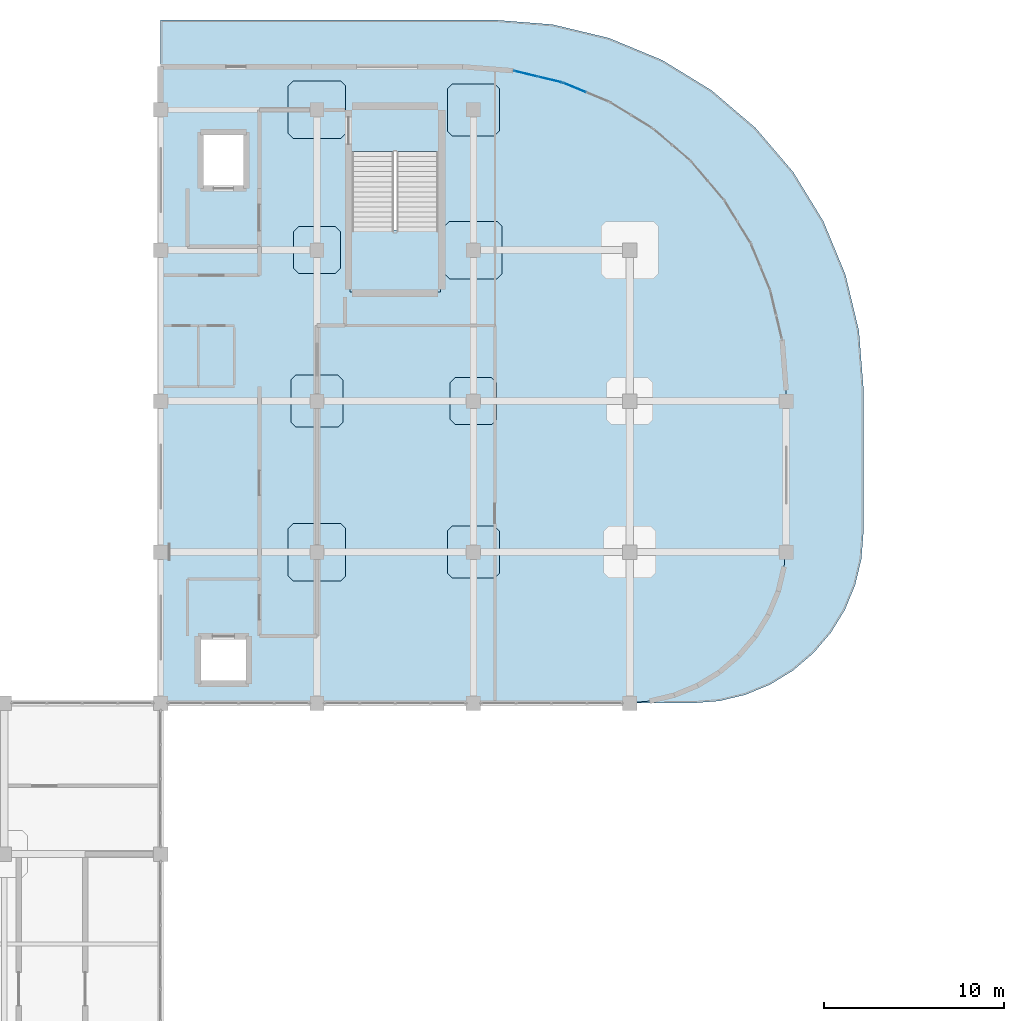
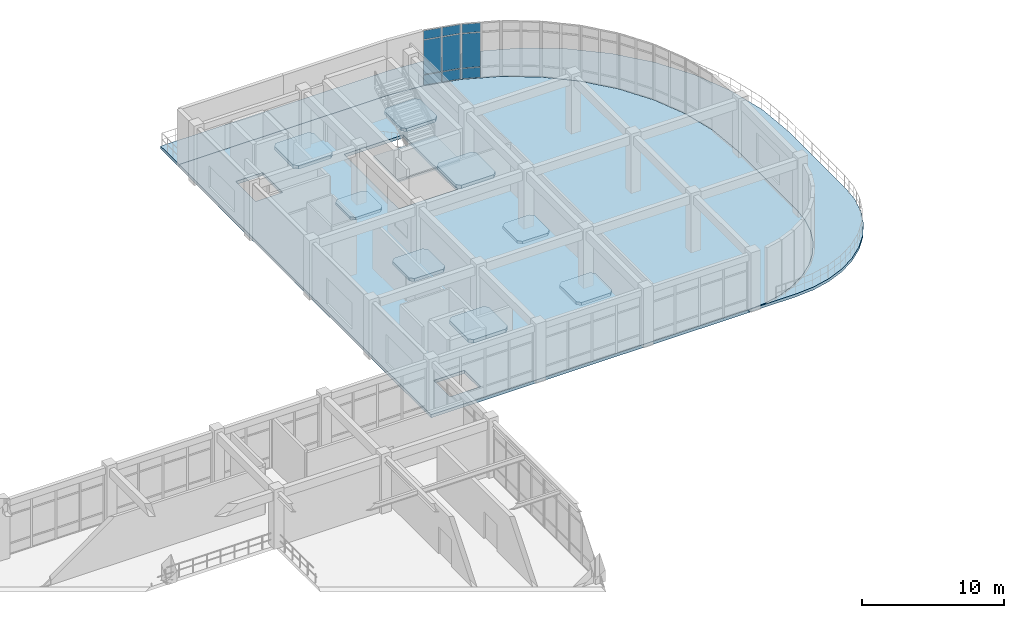
# One storey, part 75 of 96: 11 slabs, 9 plates, 3 elements without a shape of their own.
"""IFC4 building model written with IfcOpenShell, lengths in metres."""

from ifc_helpers import new_model, si_unit, derived_unit, direction, frame, origin, origin_2d, place, context, subcontext, project, spatial, polyline, rectangle, outline, extrude, material, layer, layer_set, type_object, element, aggregate, save


model = new_model("IFC4")

# Units and contexts
model_context = context("Model", 3, precision=1e-05, world=origin(), true_north=direction((0.0, 1.0)))
body_context = subcontext(model_context, "Body", "Model", "MODEL_VIEW")
ifc_project = project(units=[si_unit("LENGTHUNIT", "METRE"), si_unit("AREAUNIT", "SQUARE_METRE"), si_unit("VOLUMEUNIT", "CUBIC_METRE"), si_unit("PLANEANGLEUNIT", "RADIAN"), si_unit("MASSUNIT", "GRAM", prefix="KILO"), derived_unit("THERMALTRANSMITTANCEUNIT", [(si_unit("MASSUNIT", "GRAM", prefix="KILO"), 1), (si_unit("TIMEUNIT", "SECOND"), -3), (si_unit("THERMODYNAMICTEMPERATUREUNIT", "KELVIN"), -1)])], contexts=[model_context])

# Site, building, storey
site_placement = place(None, origin())
site = spatial("IfcSite", under=ifc_project, at=site_placement, CompositionType="ELEMENT")
building_placement = place(site_placement, origin())
building = spatial("IfcBuilding", under=site, at=building_placement, Name="Qinzheling Arcade Emporium", CompositionType="ELEMENT")
storey_placement = place(building_placement, frame((0.0, 0.0, 21.60009765625)))
storey = spatial("IfcBuildingStorey", under=building, at=storey_placement, Name="L05", CompositionType="ELEMENT", Elevation=21.60009765625)

# Slabs
ifc_material_1 = material(Name="Concrete C40", Category="concrete")
ifc_layer_1 = layer(ifc_material_1, 0.264892578125, Name="Concrete C40", Category="concrete")
ifc_layer_set_1 = layer_set([ifc_layer_1], Name="Concrete C40")
slab_type_1 = type_object("IfcSlabType", Name="Buying Office Flat Slab 265 C40", PredefinedType="FLOOR", material=ifc_layer_set_1)
slab_1_placement = place(storey_placement, frame((0.0, 0.0, -0.26513671875)))
element("IfcSlab", 1, at=slab_1_placement, inside=storey, type_object=slab_type_1, Name="Floor Slab SLB-L05-V6", PredefinedType="FLOOR", context=body_context, shape_type="SweptSolid", body=[
    extrude(outline(polyline([(104.39990234375, 109.199951171875), (104.39990234375, 73.800048828125), (130.199951171875, 73.800048828125), (131.60791015625, 73.910888671875), (132.98095703125, 74.239990234375), (134.285888671875, 74.781005859375), (135.489990234375, 75.51904296875), (136.56396484375, 76.43603515625), (137.48095703125, 77.510009765625), (138.218994140625, 78.714111328125), (138.760009765625, 80.01904296875), (139.089111328125, 81.39208984375), (139.199951171875, 82.800048828125), (139.199951171875, 91.199951171875), (138.97802734375, 94.01611328125), (138.319091796875, 96.761962890625), (137.238037109375, 99.3720703125), (135.761962890625, 101.780029296875), (133.927978515625, 103.927978515625), (131.780029296875, 105.761962890625), (129.3720703125, 107.238037109375), (126.761962890625, 108.319091796875), (124.01611328125, 108.97802734375), (121.199951171875, 109.199951171875), (104.39990234375, 109.199951171875)]), holes=[polyline([(119.844970703125, 96.800048828125), (115.054931640625, 96.800048828125), (115.054931640625, 104.47509765625), (119.844970703125, 104.47509765625), (119.844970703125, 96.800048828125)]), polyline([(109.14990234375, 75.050048828125), (106.64990234375, 75.050048828125), (106.64990234375, 77.35009765625), (109.14990234375, 77.35009765625), (109.14990234375, 75.050048828125)]), polyline([(109.0, 102.60009765625), (106.800048828125, 102.60009765625), (106.800048828125, 105.39990234375), (109.0, 105.39990234375), (109.0, 102.60009765625)])]), origin(), (0.0, 0.0, 1.0), 0.26513671875),
])
ifc_layer_2 = layer(ifc_material_1, 0.235107421875, Name="Concrete C40", Category="concrete")
ifc_layer_set_2 = layer_set([ifc_layer_2], Name="Concrete C40")
slab_type_2 = type_object("IfcSlabType", Name="Column Head Drop Panel 2600x2600x235 C40", PredefinedType="USERDEFINED", material=ifc_layer_set_2)
slab_2_placement = place(storey_placement, frame((0.0, 0.0, -0.5)))
element("IfcSlab", 2, at=slab_2_placement, inside=storey, type_object=slab_type_2, Name="Column Drop Panel DP-L05-14-M", ObjectType="DROP_PANEL", PredefinedType="USERDEFINED", context=body_context, shape_type="SweptSolid", body=[
    extrude(outline(polyline([(112.080078125, 97.699951171875), (114.1201171875, 97.699951171875), (114.39990234375, 97.97998046875), (114.39990234375, 100.02001953125), (114.1201171875, 100.300048828125), (112.080078125, 100.300048828125), (111.800048828125, 100.02001953125), (111.800048828125, 97.97998046875), (112.080078125, 97.699951171875)])), origin(), (0.0, 0.0, 1.0), 0.23486328125),
])
slab_3_placement = place(storey_placement, frame((0.0, 0.0, -0.5)))
element("IfcSlab", 3, at=slab_3_placement, inside=storey, type_object=slab_type_2, Name="Column Drop Panel DP-L05-15-L", ObjectType="DROP_PANEL", PredefinedType="USERDEFINED", context=body_context, shape_type="SweptSolid", body=[
    extrude(outline(polyline([(120.780029296875, 89.300048828125), (122.820068359375, 89.300048828125), (123.10009765625, 89.580078125), (123.10009765625, 91.6201171875), (122.820068359375, 91.89990234375), (120.780029296875, 91.89990234375), (120.5, 91.6201171875), (120.5, 89.580078125), (120.780029296875, 89.300048828125)])), origin(), (0.0, 0.0, 1.0), 0.23486328125),
])
ifc_layer_3 = layer(ifc_material_1, 0.27001953125, Name="Concrete C40", Category="concrete")
ifc_layer_set_3 = layer_set([ifc_layer_3], Name="Concrete C40")
slab_type_3 = type_object("IfcSlabType", Name="Column Head Drop Panel 2900x2900x270 C40", PredefinedType="USERDEFINED", material=ifc_layer_set_3)
slab_4_placement = place(storey_placement, frame((0.0, 0.0, -0.53515625)))
element("IfcSlab", 4, at=slab_4_placement, inside=storey, type_object=slab_type_3, Name="Column Drop Panel DP-L05-14-L", ObjectType="DROP_PANEL", PredefinedType="USERDEFINED", context=body_context, shape_type="SweptSolid", body=[
    extrude(outline(polyline([(111.929931640625, 89.14990234375), (114.27001953125, 89.14990234375), (114.550048828125, 89.429931640625), (114.550048828125, 91.77001953125), (114.27001953125, 92.050048828125), (111.929931640625, 92.050048828125), (111.64990234375, 91.77001953125), (111.64990234375, 89.429931640625), (111.929931640625, 89.14990234375)])), origin(), (0.0, 0.0, 1.0), 0.27001953125),
])
slab_5_placement = place(storey_placement, frame((0.0, 0.0, -0.53515625)))
element("IfcSlab", 5, at=slab_5_placement, inside=storey, type_object=slab_type_3, Name="Column Drop Panel DP-L05-15-K", ObjectType="DROP_PANEL", PredefinedType="USERDEFINED", context=body_context, shape_type="SweptSolid", body=[
    extrude(outline(polyline([(120.6298828125, 80.75), (122.969970703125, 80.75), (123.25, 81.030029296875), (123.25, 83.3701171875), (122.969970703125, 83.64990234375), (120.6298828125, 83.64990234375), (120.35009765625, 83.3701171875), (120.35009765625, 81.030029296875), (120.6298828125, 80.75)])), origin(), (0.0, 0.0, 1.0), 0.27001953125),
])
slab_6_placement = place(storey_placement, frame((0.0, 0.0, -0.53515625)))
element("IfcSlab", 6, at=slab_6_placement, inside=storey, type_object=slab_type_3, Name="Column Drop Panel DP-L05-15-N", ObjectType="DROP_PANEL", PredefinedType="USERDEFINED", context=body_context, shape_type="SweptSolid", body=[
    extrude(outline(polyline([(120.6298828125, 105.35009765625), (122.969970703125, 105.35009765625), (123.25, 105.6298828125), (123.25, 107.969970703125), (122.969970703125, 108.25), (120.6298828125, 108.25), (120.35009765625, 107.969970703125), (120.35009765625, 105.6298828125), (120.6298828125, 105.35009765625)])), origin(), (0.0, 0.0, 1.0), 0.27001953125),
])
ifc_layer_4 = layer(ifc_material_1, 0.300048828125, Name="Concrete C40", Category="concrete")
ifc_layer_set_4 = layer_set([ifc_layer_4], Name="Concrete C40")
slab_type_4 = type_object("IfcSlabType", Name="Column Head Drop Panel 3200x3200x300 C40", PredefinedType="USERDEFINED", material=ifc_layer_set_4)
slab_7_placement = place(storey_placement, frame((0.0, 0.0, -0.565185546875)))
element("IfcSlab", 7, at=slab_7_placement, inside=storey, type_object=slab_type_4, Name="Column Drop Panel DP-L05-14-K", ObjectType="DROP_PANEL", PredefinedType="USERDEFINED", context=body_context, shape_type="SweptSolid", body=[
    extrude(outline(polyline([(111.780029296875, 80.60009765625), (114.419921875, 80.60009765625), (114.699951171875, 80.8798828125), (114.699951171875, 83.52001953125), (114.419921875, 83.800048828125), (111.780029296875, 83.800048828125), (111.5, 83.52001953125), (111.5, 80.8798828125), (111.780029296875, 80.60009765625)])), origin(), (0.0, 0.0, 1.0), 0.300048828125),
])
slab_8_placement = place(storey_placement, frame((0.0, 0.0, -0.565185546875)))
element("IfcSlab", 8, at=slab_8_placement, inside=storey, type_object=slab_type_4, Name="Column Drop Panel DP-L05-14-N", ObjectType="DROP_PANEL", PredefinedType="USERDEFINED", context=body_context, shape_type="SweptSolid", body=[
    extrude(outline(polyline([(111.780029296875, 105.199951171875), (114.419921875, 105.199951171875), (114.699951171875, 105.47998046875), (114.699951171875, 108.1201171875), (114.419921875, 108.39990234375), (111.780029296875, 108.39990234375), (111.5, 108.1201171875), (111.5, 105.47998046875), (111.780029296875, 105.199951171875)])), origin(), (0.0, 0.0, 1.0), 0.300048828125),
])
slab_9_placement = place(storey_placement, frame((0.0, 0.0, -0.565185546875)))
element("IfcSlab", 9, at=slab_9_placement, inside=storey, type_object=slab_type_4, Name="Column Drop Panel DP-L05-15-M", ObjectType="DROP_PANEL", PredefinedType="USERDEFINED", context=body_context, shape_type="SweptSolid", body=[
    extrude(outline(polyline([(120.47998046875, 97.39990234375), (123.1201171875, 97.39990234375), (123.39990234375, 97.679931640625), (123.39990234375, 100.320068359375), (123.1201171875, 100.60009765625), (120.47998046875, 100.60009765625), (120.199951171875, 100.320068359375), (120.199951171875, 97.679931640625), (120.47998046875, 97.39990234375)])), origin(), (0.0, 0.0, 1.0), 0.300048828125),
])

# Curtain wall, plates
ifc_material_2 = material(Name="Anodised aluminium and solar-control double glazing", Category="aluminium")
ifc_layer_5 = layer(ifc_material_2, 0.159912109375, Name="Anodised aluminium and solar-control double glazing", Category="aluminium")
ifc_layer_set_5 = layer_set([ifc_layer_5], Name="Anodised aluminium and solar-control double glazing")
curtain_wall_type = type_object("IfcCurtainWallType", Name="Curved Ribbon Sales Curtain Wall", PredefinedType="NOTDEFINED", material=ifc_layer_set_5)
curtain_wall_1_placement = place(storey_placement, origin())
curtain_wall_1 = element("IfcCurtainWall", 10, at=curtain_wall_1_placement, inside=storey, type_object=curtain_wall_type, Name="Curtain Wall CW-L05-335", PredefinedType="NOTDEFINED")
ifc_material_3 = material(Name="Laminated solar-control double glazing", Category="glass")
ifc_layer_6 = layer(ifc_material_3, 0.02490234375, Name="Laminated solar-control double glazing", Category="glass")
ifc_layer_set_6 = layer_set([ifc_layer_6], Name="Laminated solar-control double glazing")
plate_type_1 = type_object("IfcPlateType", Name="Low-E Double Glazed Curtain Panel 25mm", PredefinedType="CURTAIN_PANEL", material=ifc_layer_set_6)
plate_1_placement = place(storey_placement, frame((124.717041015625, 108.809814453125, 0.06005859375), z_axis=(0.0, 0.0, 1.0), x_axis=(0.972390516216, -0.233359559423, 0.0)))
plate_1 = element("IfcPlate", 11, at=plate_1_placement, type_object=plate_type_1, Name="CW02 panel 1.1", PredefinedType="CURTAIN_PANEL", context=body_context, shape_type="SweptSolid", body=[
    extrude(rectangle(XDim=1.322021484375, YDim=0.02490234375, at=origin_2d()), origin(), (0.0, 0.0, 1.0), 0.860107421875),
])
plate_2_placement = place(storey_placement, frame((124.717041015625, 108.809814453125, 0.97998046875), z_axis=(0.0, 0.0, 1.0), x_axis=(0.972390516216, -0.233359559423, 0.0)))
plate_2 = element("IfcPlate", 12, at=plate_2_placement, type_object=plate_type_1, Name="CW02 panel 1.2", PredefinedType="CURTAIN_PANEL", context=body_context, shape_type="SweptSolid", body=[
    extrude(rectangle(XDim=1.322021484375, YDim=0.02490234375, at=origin_2d()), origin(), (0.0, 0.0, 1.0), 2.929931640625),
])
plate_3_placement = place(storey_placement, frame((124.717041015625, 108.809814453125, 3.9697265625), z_axis=(0.0, 0.0, 1.0), x_axis=(0.972390516216, -0.233359559423, 0.0)))
plate_3 = element("IfcPlate", 13, at=plate_3_placement, type_object=plate_type_1, Name="CW02 panel 1.3", PredefinedType="CURTAIN_PANEL", context=body_context, shape_type="SweptSolid", body=[
    extrude(rectangle(XDim=1.322021484375, YDim=0.02490234375, at=origin_2d()), origin(), (0.0, 0.0, 1.0), 0.760009765625),
])
plate_4_placement = place(storey_placement, frame((126.06103515625, 108.4873046875, 0.06005859375), z_axis=(0.0, 0.0, 1.0), x_axis=(0.972390516216, -0.233359559423, 0.0)))
plate_4 = element("IfcPlate", 14, at=plate_4_placement, type_object=plate_type_1, Name="CW02 panel 2.1", PredefinedType="CURTAIN_PANEL", context=body_context, shape_type="SweptSolid", body=[
    extrude(rectangle(XDim=1.322021484375, YDim=0.02490234375, at=origin_2d()), origin(), (0.0, 0.0, 1.0), 0.860107421875),
])
plate_5_placement = place(storey_placement, frame((126.06103515625, 108.4873046875, 0.97998046875), z_axis=(0.0, 0.0, 1.0), x_axis=(0.972390516216, -0.233359559423, 0.0)))
plate_5 = element("IfcPlate", 15, at=plate_5_placement, type_object=plate_type_1, Name="CW02 panel 2.2", PredefinedType="CURTAIN_PANEL", context=body_context, shape_type="SweptSolid", body=[
    extrude(rectangle(XDim=1.322021484375, YDim=0.02490234375, at=origin_2d()), origin(), (0.0, 0.0, 1.0), 2.929931640625),
])
plate_6_placement = place(storey_placement, frame((126.06103515625, 108.4873046875, 3.9697265625), z_axis=(0.0, 0.0, 1.0), x_axis=(0.972390516216, -0.233359559423, 0.0)))
plate_6 = element("IfcPlate", 16, at=plate_6_placement, type_object=plate_type_1, Name="CW02 panel 2.3", PredefinedType="CURTAIN_PANEL", context=body_context, shape_type="SweptSolid", body=[
    extrude(rectangle(XDim=1.322021484375, YDim=0.02490234375, at=origin_2d()), origin(), (0.0, 0.0, 1.0), 0.760009765625),
])
aggregate(curtain_wall_1, [plate_1, plate_2, plate_3, plate_4, plate_5, plate_6])

curtain_wall_2_placement = place(storey_placement, origin())
curtain_wall_2 = element("IfcCurtainWall", 17, at=curtain_wall_2_placement, inside=storey, type_object=curtain_wall_type, Name="Curtain Wall CW-L05-336", PredefinedType="NOTDEFINED")
ifc_layer_7 = layer(ifc_material_3, 0.02587890625, Name="Laminated solar-control double glazing", Category="glass")
ifc_layer_set_7 = layer_set([ifc_layer_7], Name="Laminated solar-control double glazing")
plate_type_2 = type_object("IfcPlateType", Name="Low-E Double Glazed Curtain Panel 26mm", PredefinedType="CURTAIN_PANEL", material=ifc_layer_set_7)
plate_7_placement = place(storey_placement, frame((127.428466796875, 108.04296875, 0.06005859375), z_axis=(0.0, 0.0, 1.0), x_axis=(0.923891721508, -0.382654004198, 0.0)))
plate_7 = element("IfcPlate", 18, at=plate_7_placement, type_object=plate_type_2, Name="CW02 panel 1.1", PredefinedType="CURTAIN_PANEL", context=body_context, shape_type="SweptSolid", body=[
    extrude(rectangle(XDim=1.322509765625, YDim=0.02587890625, at=origin_2d()), origin(), (0.0, 0.0, 1.0), 0.860107421875),
])
plate_8_placement = place(storey_placement, frame((127.428466796875, 108.04296875, 0.97998046875), z_axis=(0.0, 0.0, 1.0), x_axis=(0.923891721508, -0.382654004198, 0.0)))
plate_8 = element("IfcPlate", 19, at=plate_8_placement, type_object=plate_type_2, Name="CW02 panel 1.2", PredefinedType="CURTAIN_PANEL", context=body_context, shape_type="SweptSolid", body=[
    extrude(rectangle(XDim=1.322509765625, YDim=0.02587890625, at=origin_2d()), origin(), (0.0, 0.0, 1.0), 2.929931640625),
])
plate_9_placement = place(storey_placement, frame((127.428466796875, 108.04296875, 3.9697265625), z_axis=(0.0, 0.0, 1.0), x_axis=(0.923891721508, -0.382654004198, 0.0)))
plate_9 = element("IfcPlate", 20, at=plate_9_placement, type_object=plate_type_2, Name="CW02 panel 1.3", PredefinedType="CURTAIN_PANEL", context=body_context, shape_type="SweptSolid", body=[
    extrude(rectangle(XDim=1.322509765625, YDim=0.02587890625, at=origin_2d()), origin(), (0.0, 0.0, 1.0), 0.760009765625),
])
aggregate(curtain_wall_2, [plate_7, plate_8, plate_9])

# Slab
ifc_layer_8 = layer(ifc_material_1, 0.25, Name="Concrete C40", Category="concrete")
ifc_layer_set_8 = layer_set([ifc_layer_8], Name="Concrete C40")
slab_type_5 = type_object("IfcSlabType", Name="Outdoor Dining Terrace Slab 250 C40", PredefinedType="FLOOR", material=ifc_layer_set_8)
slab_10_placement = place(storey_placement, frame((0.0, 0.0, -0.25)))
element("IfcSlab", 21, at=slab_10_placement, inside=storey, type_object=slab_type_5, Name="Outdoor Terrace SLB-TR-V6-L05", PredefinedType="FLOOR", context=body_context, shape_type="SweptSolid", body=[
    extrude(outline(polyline([(104.39990234375, 111.800048828125), (104.39990234375, 109.199951171875), (121.199951171875, 109.199951171875), (124.01611328125, 108.97802734375), (126.761962890625, 108.319091796875), (129.3720703125, 107.238037109375), (131.780029296875, 105.761962890625), (133.927978515625, 103.927978515625), (135.761962890625, 101.780029296875), (137.238037109375, 99.3720703125), (138.319091796875, 96.761962890625), (138.97802734375, 94.01611328125), (139.199951171875, 91.199951171875), (139.199951171875, 82.800048828125), (139.089111328125, 81.39208984375), (138.760009765625, 80.01904296875), (138.218994140625, 78.714111328125), (137.48095703125, 77.510009765625), (136.56396484375, 76.43603515625), (135.489990234375, 75.51904296875), (134.285888671875, 74.781005859375), (132.98095703125, 74.239990234375), (131.60791015625, 73.910888671875), (130.199951171875, 73.800048828125), (134.0, 73.800048828125), (135.486083984375, 73.9169921875), (136.93603515625, 74.264892578125), (138.31298828125, 74.8349609375), (139.583984375, 75.614013671875), (140.718017578125, 76.58203125), (141.68603515625, 77.716064453125), (142.465087890625, 78.987060546875), (143.034912109375, 80.364013671875), (143.383056640625, 81.81396484375), (143.5, 83.300048828125), (143.5, 91.300048828125), (143.248046875, 94.507080078125), (142.4970703125, 97.635009765625), (141.26611328125, 100.60693359375), (139.5849609375, 103.35009765625), (137.49609375, 105.7958984375), (135.050048828125, 107.885009765625), (132.306884765625, 109.56591796875), (129.3349609375, 110.797119140625), (126.20703125, 111.548095703125), (123.0, 111.800048828125), (104.39990234375, 111.800048828125)])), origin(), (0.0, 0.0, 1.0), 0.25),
])

# Stair, slab
stair_type = type_object("IfcStairType", Name="Cast-in-Situ Dog-Leg Escape Stair H5100", PredefinedType="HALF_TURN_STAIR", material=ifc_material_1)
stair_placement = place(storey_placement, origin())
stair = element("IfcStair", 22, at=stair_placement, inside=storey, type_object=stair_type, Name="L05 ST08", PredefinedType="HALF_TURN_STAIR")
ifc_layer_9 = layer(ifc_material_1, 0.199951171875, Name="Concrete C40", Category="concrete")
ifc_layer_set_9 = layer_set([ifc_layer_9], Name="Concrete C40")
slab_type_6 = type_object("IfcSlabType", Name="Stair Half-Turn Landing Slab 200 C40", PredefinedType="LANDING", material=ifc_layer_set_9)
slab_11_placement = place(storey_placement, frame((0.0, 0.0, 2.349853515625)))
slab_11 = element("IfcSlab", 23, at=slab_11_placement, type_object=slab_type_6, Name="ST08 landing 1", PredefinedType="LANDING", context=body_context, shape_type="SweptSolid", body=[
    extrude(outline(polyline([(114.93505859375, 100.1201171875), (119.965087890625, 100.1201171875), (119.965087890625, 96.679931640625), (114.93505859375, 96.679931640625), (114.93505859375, 100.1201171875)])), origin(), (0.0, 0.0, 1.0), 0.199951171875),
])
aggregate(stair, [slab_11])

save(model, "model.ifc")
